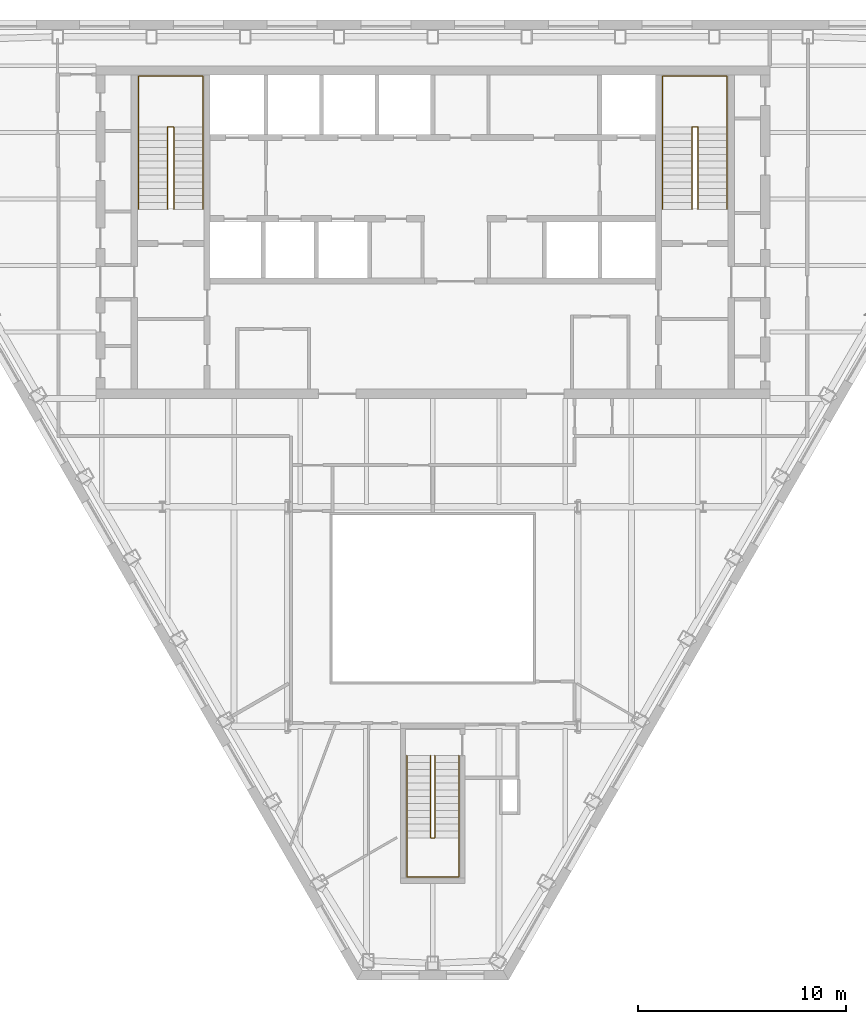
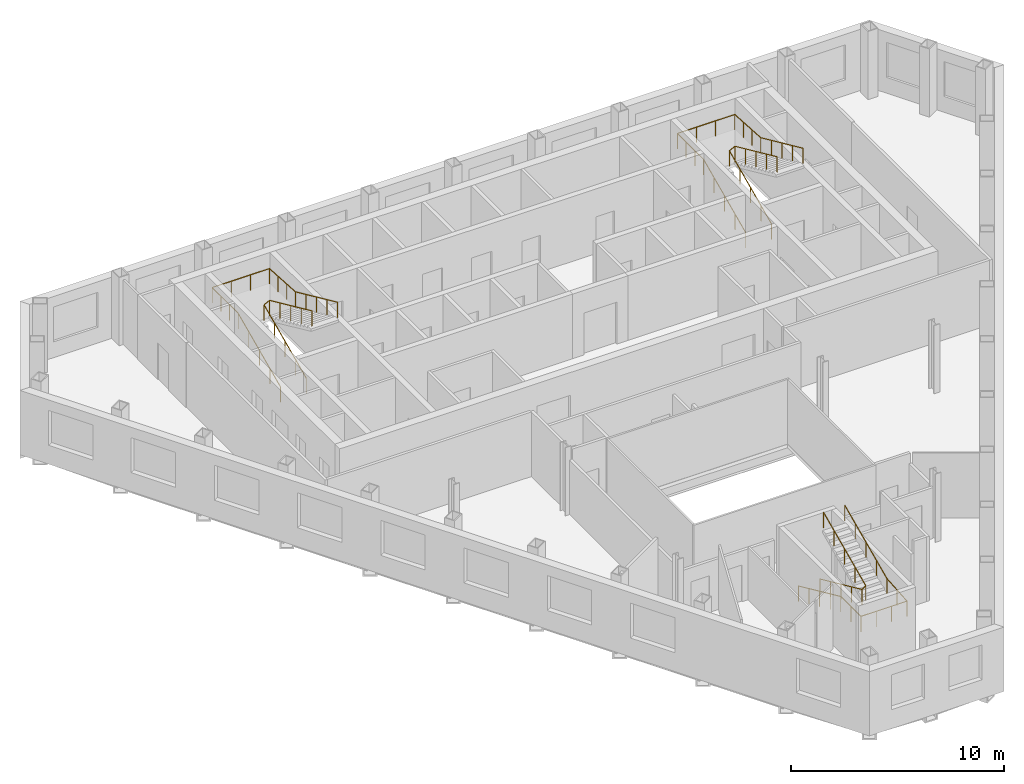
# One storey, part 11 of 11: 6 railings.
"""IFC4 building model written with IfcOpenShell, lengths in metres."""

from ifc_helpers import new_model, si_unit, direction, frame, origin, origin_2d, place, context, subcontext, project, spatial, circle, extrude, material, type_object, element, save


model = new_model("IFC4")

# Units and contexts
model_context = context("Model", 3, precision=1e-05, world=origin(), true_north=direction((0.0, 1.0)))
body_context = subcontext(model_context, "Body", "Model", "MODEL_VIEW")
ifc_project = project(units=[si_unit("LENGTHUNIT", "METRE"), si_unit("AREAUNIT", "SQUARE_METRE"), si_unit("VOLUMEUNIT", "CUBIC_METRE"), si_unit("PLANEANGLEUNIT", "RADIAN"), si_unit("MASSUNIT", "GRAM", prefix="KILO")], contexts=[model_context])

# Site, building, storey
site_placement = place(None, origin())
site = spatial("IfcSite", under=ifc_project, at=site_placement, CompositionType="ELEMENT")
building_placement = place(site_placement, origin())
building = spatial("IfcBuilding", under=site, at=building_placement, Name="Njiva Tower", CompositionType="ELEMENT")
storey_placement = place(building_placement, frame((0.0, 0.0, 204.3)))
storey = spatial("IfcBuildingStorey", under=building, at=storey_placement, Name="L45", CompositionType="ELEMENT", Elevation=204.3)

# Railings
ifc_material = material(Name="Stainless steel", Category="steel")
railing_type = type_object("IfcRailingType", Name="RL1 Stair handrail 900", PredefinedType="HANDRAIL", material=ifc_material)
railing_1_placement = place(storey_placement, frame((-14.15, 11.1, 0.15)))
element("IfcRailing", 1, at=railing_1_placement, inside=storey, type_object=railing_type, Name="Stair A handrail", PredefinedType="HANDRAIL", context=body_context, shape_type="SweptSolid", body=[
    extrude(circle(Radius=0.024, at=origin_2d()), frame((0.0, 0.0, 0.876), z_axis=(0.0, 0.910366477463, 0.413802944301), x_axis=(-1.0, 0.0, 0.0)), (0.0, 0.0, 1.0), 4.3499),
    extrude(circle(Radius=0.024, at=origin_2d()), frame((0.0, 3.96, 2.676), z_axis=(0.0, 1.0, 0.0), x_axis=(-1.0, 0.0, 0.0)), (0.0, 0.0, 1.0), 2.44),
    extrude(circle(Radius=0.024, at=origin_2d()), frame((0.0, 6.4, 2.676), z_axis=(1.0, 0.0, 0.0), x_axis=(0.0, 1.0, 0.0)), (0.0, 0.0, 1.0), 3.1),
    extrude(circle(Radius=0.024, at=origin_2d()), frame((3.1, 6.4, 2.676), z_axis=(0.0, -0.998115726137, 0.061359573328), x_axis=(1.0, 0.0, 0.0)), (0.0, 0.0, 1.0), 2.4446),
    extrude(circle(Radius=0.024, at=origin_2d()), frame((3.1, 3.96, 2.826), z_axis=(0.0, -0.910366477463, 0.413802944301), x_axis=(1.0, 0.0, 0.0)), (0.0, 0.0, 1.0), 4.3499),
    extrude(circle(Radius=0.021, at=origin_2d()), origin(), (0.0, 0.0, 1.0), 0.852),
    extrude(circle(Radius=0.021, at=origin_2d()), frame((0.0, 0.99, 0.45)), (0.0, 0.0, 1.0), 0.852),
    extrude(circle(Radius=0.021, at=origin_2d()), frame((0.0, 1.98, 0.9)), (0.0, 0.0, 1.0), 0.852),
    extrude(circle(Radius=0.021, at=origin_2d()), frame((0.0, 2.97, 1.35)), (0.0, 0.0, 1.0), 0.852),
    extrude(circle(Radius=0.021, at=origin_2d()), frame((0.0, 3.96, 1.8)), (0.0, 0.0, 1.0), 0.852),
    extrude(circle(Radius=0.021, at=origin_2d()), frame((0.0, 4.7733, 1.8)), (0.0, 0.0, 1.0), 0.852),
    extrude(circle(Radius=0.021, at=origin_2d()), frame((0.0, 5.5867, 1.8)), (0.0, 0.0, 1.0), 0.852),
    extrude(circle(Radius=0.021, at=origin_2d()), frame((0.0, 6.4, 1.8)), (0.0, 0.0, 1.0), 0.852),
    extrude(circle(Radius=0.021, at=origin_2d()), frame((1.0333, 6.4, 1.8)), (0.0, 0.0, 1.0), 0.852),
    extrude(circle(Radius=0.021, at=origin_2d()), frame((2.0667, 6.4, 1.8)), (0.0, 0.0, 1.0), 0.852),
    extrude(circle(Radius=0.021, at=origin_2d()), frame((3.1, 6.4, 1.8)), (0.0, 0.0, 1.0), 0.852),
    extrude(circle(Radius=0.021, at=origin_2d()), frame((3.1, 5.5867, 1.85)), (0.0, 0.0, 1.0), 0.852),
    extrude(circle(Radius=0.021, at=origin_2d()), frame((3.1, 4.7733, 1.9)), (0.0, 0.0, 1.0), 0.852),
    extrude(circle(Radius=0.021, at=origin_2d()), frame((3.1, 3.96, 1.95)), (0.0, 0.0, 1.0), 0.852),
    extrude(circle(Radius=0.021, at=origin_2d()), frame((3.1, 2.97, 2.4)), (0.0, 0.0, 1.0), 0.852),
    extrude(circle(Radius=0.021, at=origin_2d()), frame((3.1, 1.98, 2.85)), (0.0, 0.0, 1.0), 0.852),
    extrude(circle(Radius=0.021, at=origin_2d()), frame((3.1, 0.99, 3.3)), (0.0, 0.0, 1.0), 0.852),
    extrude(circle(Radius=0.021, at=origin_2d()), frame((3.1, 0.0, 3.75)), (0.0, 0.0, 1.0), 0.852),
])
railing_2_placement = place(storey_placement, frame((-12.75, 11.1, 0.15)))
element("IfcRailing", 2, at=railing_2_placement, inside=storey, type_object=railing_type, Name="Stair A handrail", PredefinedType="HANDRAIL", context=body_context, shape_type="SweptSolid", body=[
    extrude(circle(Radius=0.024, at=origin_2d()), frame((0.0, 0.0, 0.876), z_axis=(0.0, 0.910366477463, 0.413802944301), x_axis=(-1.0, 0.0, 0.0)), (0.0, 0.0, 1.0), 4.3499),
    extrude(circle(Radius=0.024, at=origin_2d()), frame((0.0, 3.96, 2.676), z_axis=(0.894427191, 0.0, 0.4472135955), x_axis=(0.0, 1.0, 0.0)), (0.0, 0.0, 1.0), 0.3354),
    extrude(circle(Radius=0.024, at=origin_2d()), frame((0.3, 3.96, 2.826), z_axis=(0.0, -0.910366477463, 0.413802944301), x_axis=(1.0, 0.0, 0.0)), (0.0, 0.0, 1.0), 4.3499),
    extrude(circle(Radius=0.021, at=origin_2d()), origin(), (0.0, 0.0, 1.0), 0.852),
    extrude(circle(Radius=0.021, at=origin_2d()), frame((0.0, 0.99, 0.45)), (0.0, 0.0, 1.0), 0.852),
    extrude(circle(Radius=0.021, at=origin_2d()), frame((0.0, 1.98, 0.9)), (0.0, 0.0, 1.0), 0.852),
    extrude(circle(Radius=0.021, at=origin_2d()), frame((0.0, 2.97, 1.35)), (0.0, 0.0, 1.0), 0.852),
    extrude(circle(Radius=0.021, at=origin_2d()), frame((0.0, 3.96, 1.8)), (0.0, 0.0, 1.0), 0.852),
    extrude(circle(Radius=0.021, at=origin_2d()), frame((0.3, 3.96, 1.95)), (0.0, 0.0, 1.0), 0.852),
    extrude(circle(Radius=0.021, at=origin_2d()), frame((0.3, 2.97, 2.4)), (0.0, 0.0, 1.0), 0.852),
    extrude(circle(Radius=0.021, at=origin_2d()), frame((0.3, 1.98, 2.85)), (0.0, 0.0, 1.0), 0.852),
    extrude(circle(Radius=0.021, at=origin_2d()), frame((0.3, 0.99, 3.3)), (0.0, 0.0, 1.0), 0.852),
    extrude(circle(Radius=0.021, at=origin_2d()), frame((0.3, 0.0, 3.75)), (0.0, 0.0, 1.0), 0.852),
])
railing_3_placement = place(storey_placement, frame((11.05, 11.1, 0.15)))
element("IfcRailing", 3, at=railing_3_placement, inside=storey, type_object=railing_type, Name="Stair B handrail", PredefinedType="HANDRAIL", context=body_context, shape_type="SweptSolid", body=[
    extrude(circle(Radius=0.024, at=origin_2d()), frame((0.0, 0.0, 0.876), z_axis=(0.0, 0.910366477463, 0.413802944301), x_axis=(-1.0, 0.0, 0.0)), (0.0, 0.0, 1.0), 4.3499),
    extrude(circle(Radius=0.024, at=origin_2d()), frame((0.0, 3.96, 2.676), z_axis=(0.0, 1.0, 0.0), x_axis=(-1.0, 0.0, 0.0)), (0.0, 0.0, 1.0), 2.44),
    extrude(circle(Radius=0.024, at=origin_2d()), frame((0.0, 6.4, 2.676), z_axis=(1.0, 0.0, 0.0), x_axis=(0.0, 1.0, 0.0)), (0.0, 0.0, 1.0), 3.1),
    extrude(circle(Radius=0.024, at=origin_2d()), frame((3.1, 6.4, 2.676), z_axis=(0.0, -0.998115726137, 0.061359573328), x_axis=(1.0, 0.0, 0.0)), (0.0, 0.0, 1.0), 2.4446),
    extrude(circle(Radius=0.024, at=origin_2d()), frame((3.1, 3.96, 2.826), z_axis=(0.0, -0.910366477463, 0.413802944301), x_axis=(1.0, 0.0, 0.0)), (0.0, 0.0, 1.0), 4.3499),
    extrude(circle(Radius=0.021, at=origin_2d()), origin(), (0.0, 0.0, 1.0), 0.852),
    extrude(circle(Radius=0.021, at=origin_2d()), frame((0.0, 0.99, 0.45)), (0.0, 0.0, 1.0), 0.852),
    extrude(circle(Radius=0.021, at=origin_2d()), frame((0.0, 1.98, 0.9)), (0.0, 0.0, 1.0), 0.852),
    extrude(circle(Radius=0.021, at=origin_2d()), frame((0.0, 2.97, 1.35)), (0.0, 0.0, 1.0), 0.852),
    extrude(circle(Radius=0.021, at=origin_2d()), frame((0.0, 3.96, 1.8)), (0.0, 0.0, 1.0), 0.852),
    extrude(circle(Radius=0.021, at=origin_2d()), frame((0.0, 4.7733, 1.8)), (0.0, 0.0, 1.0), 0.852),
    extrude(circle(Radius=0.021, at=origin_2d()), frame((0.0, 5.5867, 1.8)), (0.0, 0.0, 1.0), 0.852),
    extrude(circle(Radius=0.021, at=origin_2d()), frame((0.0, 6.4, 1.8)), (0.0, 0.0, 1.0), 0.852),
    extrude(circle(Radius=0.021, at=origin_2d()), frame((1.0333, 6.4, 1.8)), (0.0, 0.0, 1.0), 0.852),
    extrude(circle(Radius=0.021, at=origin_2d()), frame((2.0667, 6.4, 1.8)), (0.0, 0.0, 1.0), 0.852),
    extrude(circle(Radius=0.021, at=origin_2d()), frame((3.1, 6.4, 1.8)), (0.0, 0.0, 1.0), 0.852),
    extrude(circle(Radius=0.021, at=origin_2d()), frame((3.1, 5.5867, 1.85)), (0.0, 0.0, 1.0), 0.852),
    extrude(circle(Radius=0.021, at=origin_2d()), frame((3.1, 4.7733, 1.9)), (0.0, 0.0, 1.0), 0.852),
    extrude(circle(Radius=0.021, at=origin_2d()), frame((3.1, 3.96, 1.95)), (0.0, 0.0, 1.0), 0.852),
    extrude(circle(Radius=0.021, at=origin_2d()), frame((3.1, 2.97, 2.4)), (0.0, 0.0, 1.0), 0.852),
    extrude(circle(Radius=0.021, at=origin_2d()), frame((3.1, 1.98, 2.85)), (0.0, 0.0, 1.0), 0.852),
    extrude(circle(Radius=0.021, at=origin_2d()), frame((3.1, 0.99, 3.3)), (0.0, 0.0, 1.0), 0.852),
    extrude(circle(Radius=0.021, at=origin_2d()), frame((3.1, 0.0, 3.75)), (0.0, 0.0, 1.0), 0.852),
])
railing_4_placement = place(storey_placement, frame((12.45, 11.1, 0.15)))
element("IfcRailing", 4, at=railing_4_placement, inside=storey, type_object=railing_type, Name="Stair B handrail", PredefinedType="HANDRAIL", context=body_context, shape_type="SweptSolid", body=[
    extrude(circle(Radius=0.024, at=origin_2d()), frame((0.0, 0.0, 0.876), z_axis=(0.0, 0.910366477463, 0.413802944301), x_axis=(-1.0, 0.0, 0.0)), (0.0, 0.0, 1.0), 4.3499),
    extrude(circle(Radius=0.024, at=origin_2d()), frame((0.0, 3.96, 2.676), z_axis=(0.894427191, 0.0, 0.4472135955), x_axis=(0.0, 1.0, 0.0)), (0.0, 0.0, 1.0), 0.3354),
    extrude(circle(Radius=0.024, at=origin_2d()), frame((0.3, 3.96, 2.826), z_axis=(0.0, -0.910366477463, 0.413802944301), x_axis=(1.0, 0.0, 0.0)), (0.0, 0.0, 1.0), 4.3499),
    extrude(circle(Radius=0.021, at=origin_2d()), origin(), (0.0, 0.0, 1.0), 0.852),
    extrude(circle(Radius=0.021, at=origin_2d()), frame((0.0, 0.99, 0.45)), (0.0, 0.0, 1.0), 0.852),
    extrude(circle(Radius=0.021, at=origin_2d()), frame((0.0, 1.98, 0.9)), (0.0, 0.0, 1.0), 0.852),
    extrude(circle(Radius=0.021, at=origin_2d()), frame((0.0, 2.97, 1.35)), (0.0, 0.0, 1.0), 0.852),
    extrude(circle(Radius=0.021, at=origin_2d()), frame((0.0, 3.96, 1.8)), (0.0, 0.0, 1.0), 0.852),
    extrude(circle(Radius=0.021, at=origin_2d()), frame((0.3, 3.96, 1.95)), (0.0, 0.0, 1.0), 0.852),
    extrude(circle(Radius=0.021, at=origin_2d()), frame((0.3, 2.97, 2.4)), (0.0, 0.0, 1.0), 0.852),
    extrude(circle(Radius=0.021, at=origin_2d()), frame((0.3, 1.98, 2.85)), (0.0, 0.0, 1.0), 0.852),
    extrude(circle(Radius=0.021, at=origin_2d()), frame((0.3, 0.99, 3.3)), (0.0, 0.0, 1.0), 0.852),
    extrude(circle(Radius=0.021, at=origin_2d()), frame((0.3, 0.0, 3.75)), (0.0, 0.0, 1.0), 0.852),
])
railing_5_placement = place(storey_placement, frame((-1.25, -15.16, 0.15)))
element("IfcRailing", 5, at=railing_5_placement, inside=storey, type_object=railing_type, Name="Stair C handrail", PredefinedType="HANDRAIL", context=body_context, shape_type="SweptSolid", body=[
    extrude(circle(Radius=0.024, at=origin_2d()), frame((0.0, 0.0, 0.876), z_axis=(0.0, -0.910366477463, 0.413802944301), x_axis=(1.0, 0.0, 0.0)), (0.0, 0.0, 1.0), 4.3499),
    extrude(circle(Radius=0.024, at=origin_2d()), frame((0.0, -3.96, 2.676), z_axis=(0.0, -1.0, 0.0), x_axis=(1.0, 0.0, 0.0)), (0.0, 0.0, 1.0), 1.88),
    extrude(circle(Radius=0.024, at=origin_2d()), frame((0.0, -5.84, 2.676), z_axis=(1.0, 0.0, 0.0), x_axis=(0.0, 1.0, 0.0)), (0.0, 0.0, 1.0), 2.5),
    extrude(circle(Radius=0.024, at=origin_2d()), frame((2.5, -5.84, 2.676), z_axis=(0.0, 0.996832115713, 0.079534477318), x_axis=(-1.0, 0.0, 0.0)), (0.0, 0.0, 1.0), 1.886),
    extrude(circle(Radius=0.024, at=origin_2d()), frame((2.5, -3.96, 2.826), z_axis=(0.0, 0.910366477463, 0.413802944301), x_axis=(-1.0, 0.0, 0.0)), (0.0, 0.0, 1.0), 4.3499),
    extrude(circle(Radius=0.021, at=origin_2d()), origin(), (0.0, 0.0, 1.0), 0.852),
    extrude(circle(Radius=0.021, at=origin_2d()), frame((0.0, -0.99, 0.45)), (0.0, 0.0, 1.0), 0.852),
    extrude(circle(Radius=0.021, at=origin_2d()), frame((0.0, -1.98, 0.9)), (0.0, 0.0, 1.0), 0.852),
    extrude(circle(Radius=0.021, at=origin_2d()), frame((0.0, -2.97, 1.35)), (0.0, 0.0, 1.0), 0.852),
    extrude(circle(Radius=0.021, at=origin_2d()), frame((0.0, -3.96, 1.8)), (0.0, 0.0, 1.0), 0.852),
    extrude(circle(Radius=0.021, at=origin_2d()), frame((0.0, -4.9, 1.8)), (0.0, 0.0, 1.0), 0.852),
    extrude(circle(Radius=0.021, at=origin_2d()), frame((0.0, -5.84, 1.8)), (0.0, 0.0, 1.0), 0.852),
    extrude(circle(Radius=0.021, at=origin_2d()), frame((0.8333, -5.84, 1.8)), (0.0, 0.0, 1.0), 0.852),
    extrude(circle(Radius=0.021, at=origin_2d()), frame((1.6667, -5.84, 1.8)), (0.0, 0.0, 1.0), 0.852),
    extrude(circle(Radius=0.021, at=origin_2d()), frame((2.5, -5.84, 1.8)), (0.0, 0.0, 1.0), 0.852),
    extrude(circle(Radius=0.021, at=origin_2d()), frame((2.5, -4.9, 1.875)), (0.0, 0.0, 1.0), 0.852),
    extrude(circle(Radius=0.021, at=origin_2d()), frame((2.5, -3.96, 1.95)), (0.0, 0.0, 1.0), 0.852),
    extrude(circle(Radius=0.021, at=origin_2d()), frame((2.5, -2.97, 2.4)), (0.0, 0.0, 1.0), 0.852),
    extrude(circle(Radius=0.021, at=origin_2d()), frame((2.5, -1.98, 2.85)), (0.0, 0.0, 1.0), 0.852),
    extrude(circle(Radius=0.021, at=origin_2d()), frame((2.5, -0.99, 3.3)), (0.0, 0.0, 1.0), 0.852),
    extrude(circle(Radius=0.021, at=origin_2d()), frame((2.5, 0.0, 3.75)), (0.0, 0.0, 1.0), 0.852),
])
railing_6_placement = place(storey_placement, frame((-0.1, -15.16, 0.15)))
element("IfcRailing", 6, at=railing_6_placement, inside=storey, type_object=railing_type, Name="Stair C handrail", PredefinedType="HANDRAIL", context=body_context, shape_type="SweptSolid", body=[
    extrude(circle(Radius=0.024, at=origin_2d()), frame((0.0, 0.0, 0.876), z_axis=(0.0, -0.910366477463, 0.413802944301), x_axis=(1.0, 0.0, 0.0)), (0.0, 0.0, 1.0), 4.3499),
    extrude(circle(Radius=0.024, at=origin_2d()), frame((0.0, -3.96, 2.676), z_axis=(0.8, 0.0, 0.6), x_axis=(0.0, 1.0, 0.0)), (0.0, 0.0, 1.0), 0.25),
    extrude(circle(Radius=0.024, at=origin_2d()), frame((0.2, -3.96, 2.826), z_axis=(0.0, 0.910366477463, 0.413802944301), x_axis=(-1.0, 0.0, 0.0)), (0.0, 0.0, 1.0), 4.3499),
    extrude(circle(Radius=0.021, at=origin_2d()), origin(), (0.0, 0.0, 1.0), 0.852),
    extrude(circle(Radius=0.021, at=origin_2d()), frame((0.0, -0.99, 0.45)), (0.0, 0.0, 1.0), 0.852),
    extrude(circle(Radius=0.021, at=origin_2d()), frame((0.0, -1.98, 0.9)), (0.0, 0.0, 1.0), 0.852),
    extrude(circle(Radius=0.021, at=origin_2d()), frame((0.0, -2.97, 1.35)), (0.0, 0.0, 1.0), 0.852),
    extrude(circle(Radius=0.021, at=origin_2d()), frame((0.0, -3.96, 1.8)), (0.0, 0.0, 1.0), 0.852),
    extrude(circle(Radius=0.021, at=origin_2d()), frame((0.2, -3.96, 1.95)), (0.0, 0.0, 1.0), 0.852),
    extrude(circle(Radius=0.021, at=origin_2d()), frame((0.2, -2.97, 2.4)), (0.0, 0.0, 1.0), 0.852),
    extrude(circle(Radius=0.021, at=origin_2d()), frame((0.2, -1.98, 2.85)), (0.0, 0.0, 1.0), 0.852),
    extrude(circle(Radius=0.021, at=origin_2d()), frame((0.2, -0.99, 3.3)), (0.0, 0.0, 1.0), 0.852),
    extrude(circle(Radius=0.021, at=origin_2d()), frame((0.2, 0.0, 3.75)), (0.0, 0.0, 1.0), 0.852),
])

save(model, "model.ifc")
